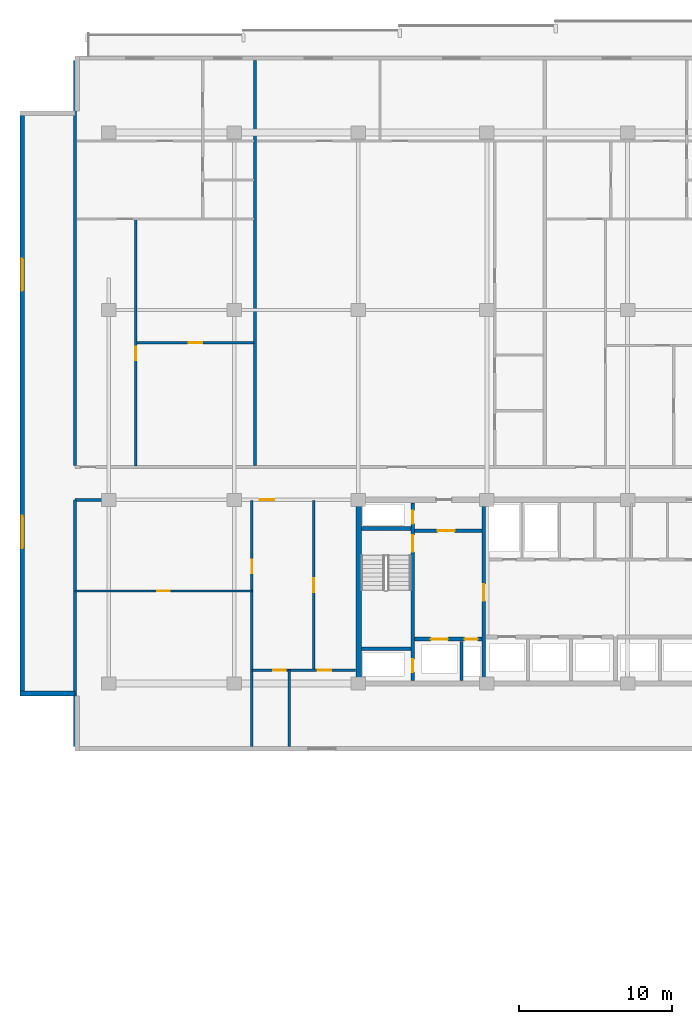
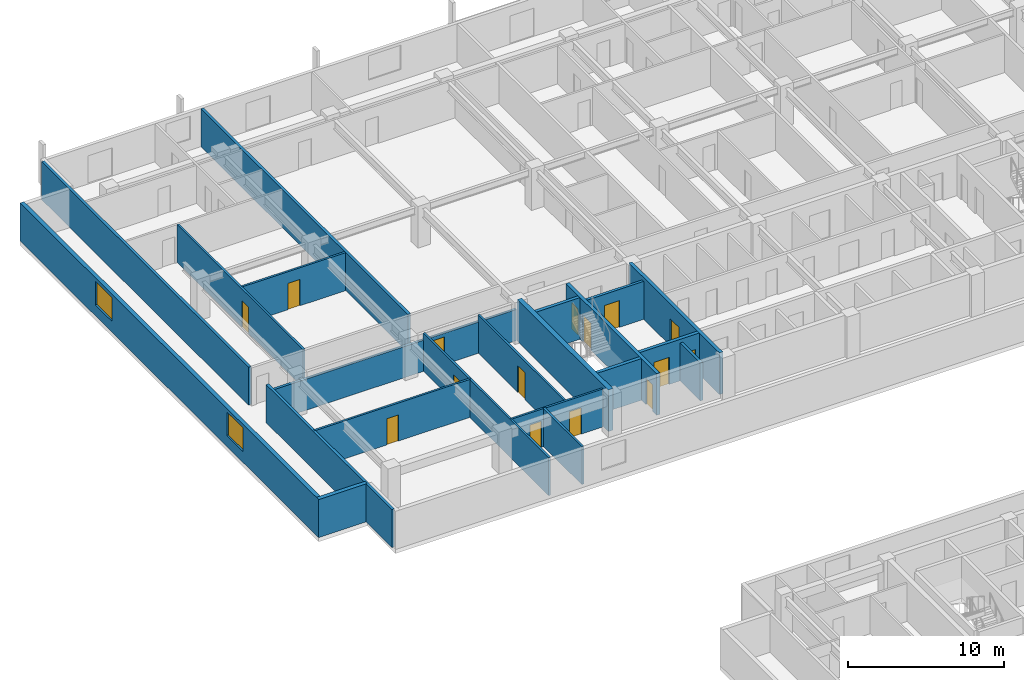
# One storey, part 11 of 22: 21 walls, 15 doors, 2 windows, 17 openings.
"""IFC4 building model written with IfcOpenShell, lengths in metres."""

from ifc_helpers import new_model, si_unit, direction, frame, frame_2d, origin, place, context, subcontext, project, spatial, rectangle, extrude, material, layer, layer_set, type_object, element, fill, save


model = new_model("IFC4")

# Units and contexts
model_context = context("Model", 3, precision=1e-05, world=origin(), true_north=direction((0.0, 1.0)))
body_context = subcontext(model_context, "Body", "Model", "MODEL_VIEW")
ifc_project = project(units=[si_unit("LENGTHUNIT", "METRE"), si_unit("AREAUNIT", "SQUARE_METRE"), si_unit("VOLUMEUNIT", "CUBIC_METRE"), si_unit("PLANEANGLEUNIT", "RADIAN"), si_unit("MASSUNIT", "GRAM", prefix="KILO")], contexts=[model_context])

# Site, building, storey
site_placement = place(None, origin())
site = spatial("IfcSite", under=ifc_project, at=site_placement, CompositionType="ELEMENT")
building_placement = place(site_placement, origin())
building = spatial("IfcBuilding", under=site, at=building_placement, Name="Korimba Cascade Residences", CompositionType="ELEMENT")
storey_placement = place(building_placement, frame((0.0, 0.0, 80.800048828125)))
storey = spatial("IfcBuildingStorey", under=building, at=storey_placement, Name="L22", CompositionType="ELEMENT", Elevation=80.800048828125)

# Wall, openings, windows
ifc_material_1 = material(Name="Precast concrete C40/50", Category="concrete")
ifc_layer_1 = layer(ifc_material_1, 0.300048828125)
ifc_layer_set_1 = layer_set([ifc_layer_1], Name="Precast concrete C40/50")
wall_type_1 = type_object("IfcWallType", Name="EW-STONE-300", PredefinedType="STANDARD", material=ifc_layer_set_1)
wall_1_placement = place(storey_placement, frame((54.14990234375, 92.60009765625, 0.0), z_axis=(0.0, 0.0, 1.0), x_axis=(0.0, -1.0, 0.0)))
wall_1 = element("IfcWall", 1, at=wall_1_placement, inside=storey, type_object=wall_type_1, Name="L22 T1 Perimeter Stone Wall E09", PredefinedType="STANDARD", context=body_context, shape_type="SweptSolid", body=[
    extrude(rectangle(XDim=38.2001953125, YDim=0.300048828125, at=frame_2d((19.10009765625, 0.0))), origin(), (0.0, 0.0, 1.0), 2.969970703125),
])
opening_1_placement = place(wall_1_placement, frame((9.64599609375, 0.0, 0.85009765625)))
opening_1 = element("IfcOpeningElement", 2, at=opening_1_placement, cuts=wall_1, Name="Opening W-03", PredefinedType="OPENING", context=body_context, shape_type="SweptSolid", body=[
    extrude(rectangle(XDim=2.10009765625, YDim=1.85009765625, at=frame_2d((1.050048828125, 0.925048828125))), frame((0.0, 0.16015625, 0.0), z_axis=(0.0, -1.0, 0.0), x_axis=(1.0, 0.0, 0.0)), (0.0, 0.0, 1.0), 0.320068359375),
])
opening_2_placement = place(wall_1_placement, frame((26.4541015625, 0.0, 0.85009765625)))
opening_2 = element("IfcOpeningElement", 3, at=opening_2_placement, cuts=wall_1, Name="Opening W-03", PredefinedType="OPENING", context=body_context, shape_type="SweptSolid", body=[
    extrude(rectangle(XDim=2.10009765625, YDim=1.85009765625, at=frame_2d((1.050048828125, 0.925048828125))), frame((0.0, 0.16015625, 0.0), z_axis=(0.0, -1.0, 0.0), x_axis=(1.0, 0.0, 0.0)), (0.0, 0.0, 1.0), 0.320068359375),
])
ifc_material_2 = material(Name="Double-Glazed Aluminium Window", Category="aluminium")
window_type = type_object("IfcWindowType", Name="WIN-CRN-2100", PartitioningType="DOUBLE_PANEL_HORIZONTAL", PredefinedType="WINDOW", material=ifc_material_2)
window_1_placement = place(opening_1_placement, origin())
window_1 = element("IfcWindow", 4, at=window_1_placement, inside=storey, type_object=window_type, Name="L22 T1 End View Window 9.1", OverallHeight=1.85009765625, OverallWidth=2.10009765625, PartitioningType="DOUBLE_PANEL_HORIZONTAL", PredefinedType="WINDOW", context=body_context, shape_type="SweptSolid", body=[
    extrude(rectangle(XDim=2.10009765625, YDim=1.85009765625, at=frame_2d((1.050048828125, 0.925048828125))), frame((0.0, 0.030029296875, 0.0), z_axis=(0.0, -1.0, 0.0), x_axis=(1.0, 0.0, 0.0)), (0.0, 0.0, 1.0), 0.06005859375),
])
fill(opening_1, window_1)
window_2_placement = place(opening_2_placement, origin())
window_2 = element("IfcWindow", 5, at=window_2_placement, inside=storey, type_object=window_type, Name="L22 T1 End View Window 9.2", OverallHeight=1.85009765625, OverallWidth=2.10009765625, PartitioningType="DOUBLE_PANEL_HORIZONTAL", PredefinedType="WINDOW", context=body_context, shape_type="SweptSolid", body=[
    extrude(rectangle(XDim=2.10009765625, YDim=1.85009765625, at=frame_2d((1.050048828125, 0.925048828125))), frame((0.0, 0.030029296875, 0.0), z_axis=(0.0, -1.0, 0.0), x_axis=(1.0, 0.0, 0.0)), (0.0, 0.0, 1.0), 0.06005859375),
])
fill(opening_2, window_2)

# Walls
wall_2_placement = place(storey_placement, frame((54.0, 54.550048828125, 0.0), z_axis=(0.0, 0.0, 1.0), x_axis=(1.0, 0.0, 0.0)))
element("IfcWall", 6, at=wall_2_placement, inside=storey, type_object=wall_type_1, Name="L22 T1 Perimeter Stone Wall E10", PredefinedType="STANDARD", context=body_context, shape_type="SweptSolid", body=[
    extrude(rectangle(XDim=3.60009765625, YDim=0.300048828125, at=frame_2d((1.800048828125, 0.0))), origin(), (0.0, 0.0, 1.0), 2.969970703125),
])
ifc_material_3 = material(Name="Concrete C65/80", Category="concrete")
ifc_layer_2 = layer(ifc_material_3, 0.35009765625)
ifc_layer_set_2 = layer_set([ifc_layer_2], Name="Concrete C65/80")
wall_type_2 = type_object("IfcWallType", Name="WAL-CORE-350", PredefinedType="SHEAR", material=ifc_layer_set_2)
wall_3_placement = place(storey_placement, frame((76.125, 55.375, 0.0), z_axis=(0.0, 0.0, 1.0), x_axis=(0.0, 1.0, 0.0)))
element("IfcWall", 7, at=wall_3_placement, inside=storey, type_object=wall_type_2, Name="L22 Core Shear Wall CW-L22-T1-W", PredefinedType="SHEAR", context=body_context, shape_type="SweptSolid", body=[
    extrude(rectangle(XDim=11.64990234375, YDim=0.35009765625, at=frame_2d((5.824951171875, 0.0))), origin(), (0.0, 0.0, 1.0), 3.25),
])
ifc_layer_3 = layer(ifc_material_1, 0.199951171875)
ifc_layer_set_3 = layer_set([ifc_layer_3], Name="Precast concrete C40/50")
wall_type_3 = type_object("IfcWallType", Name="WAL-IT-200", PredefinedType="PARTITIONING", material=ifc_layer_set_3)
wall_4_placement = place(storey_placement, frame((57.60009765625, 51.10009765625, 0.0), z_axis=(0.0, 0.0, 1.0), x_axis=(0.0, 1.0, 0.0)))
element("IfcWall", 8, at=wall_4_placement, inside=storey, type_object=wall_type_3, Name="L22 Partition Wall WAL-L22-T1-FW-WL", PredefinedType="PARTITIONING", context=body_context, shape_type="SweptSolid", body=[
    extrude(rectangle(XDim=16.099853515625, YDim=0.199951171875, at=frame_2d((8.0498046875, 0.0))), origin(), (0.0, 0.0, 1.0), 2.969970703125),
])

# Wall, opening, door
wall_5_placement = place(storey_placement, frame((57.60009765625, 67.199951171875, 0.0), z_axis=(0.0, 0.0, 1.0), x_axis=(1.0, 0.0, 0.0)))
wall_5 = element("IfcWall", 9, at=wall_5_placement, inside=storey, type_object=wall_type_3, Name="L22 Partition Wall WAL-L22-T1-FW-N", PredefinedType="PARTITIONING", context=body_context, shape_type="SweptSolid", body=[
    extrude(rectangle(XDim=18.349853515625, YDim=0.199951171875, at=frame_2d((9.1748046875, 0.0))), origin(), (0.0, 0.0, 1.0), 2.433349609375),
])
opening_3_placement = place(wall_5_placement, frame((12.07470703125, 0.0, 0.0)))
opening_3 = element("IfcOpeningElement", 10, at=opening_3_placement, cuts=wall_5, Name="Opening D-UN1", PredefinedType="OPENING", context=body_context, shape_type="SweptSolid", body=[
    extrude(rectangle(XDim=0.949951171875, YDim=2.14990234375, at=frame_2d((0.47509765625, 1.074951171875))), frame((0.0, 0.10986328125, 0.0), z_axis=(0.0, -1.0, 0.0), x_axis=(1.0, 0.0, 0.0)), (0.0, 0.0, 1.0), 0.219970703125),
])
ifc_material_4 = material(Name="Fire-Rated Hardwood Apartment Entrance Door", Category="wood")
door_type_1 = type_object("IfcDoorType", Name="DR-FD60-950", OperationType="NOTDEFINED", PredefinedType="DOOR", material=ifc_material_4)
door_1_placement = place(opening_3_placement, origin())
door_1 = element("IfcDoor", 11, at=door_1_placement, inside=storey, type_object=door_type_1, Name="L22-T1-FW Entrance Door", OperationType="SINGLE_SWING_RIGHT", OverallHeight=2.14990234375, OverallWidth=0.949951171875, PredefinedType="DOOR", context=body_context, shape_type="SweptSolid", body=[
    extrude(rectangle(XDim=0.949951171875, YDim=2.14990234375, at=frame_2d((0.47509765625, 1.074951171875))), frame((0.0, 0.02490234375, 0.0), z_axis=(0.0, -1.0, 0.0), x_axis=(1.0, 0.0, 0.0)), (0.0, 0.0, 1.0), 0.050048828125),
])
fill(opening_3, door_1)

# Walls
for number, where, z_axis, x_axis, name in (
    (12, (57.60009765625, 69.429931640625, 0.0), (0.0, 0.0, 1.0), (0.0, 1.0, 0.0), "L22 Partition Wall WAL-L22-T1-BNDWL"),
    (13, (69.36669921875, 69.429931640625, 0.0), (0.0, 0.0, 1.0), (0.0, 1.0, 0.0), "L22 Partition Wall WAL-L22-T1-DEM-1"),
):
    element("IfcWall", number, at=place(storey_placement, frame(where, z_axis=z_axis, x_axis=x_axis)), inside=storey, type_object=wall_type_3, Name=name, PredefinedType="PARTITIONING", context=body_context, shape_type="SweptSolid", body=[
        extrude(rectangle(XDim=26.469970703125, YDim=0.199951171875, at=frame_2d((13.23486328125, 0.0))), origin(), (0.0, 0.0, 1.0), 2.969970703125),
    ])

# Wall, opening, door
ifc_material_5 = material(Name="Insulated Acoustic Stud Partition", Category="gypsum")
ifc_layer_4 = layer(ifc_material_5, 0.14990234375)
ifc_layer_set_4 = layer_set([ifc_layer_4], Name="Insulated Acoustic Stud Partition")
wall_type_4 = type_object("IfcWallType", Name="WAL-PART-150", PredefinedType="PARTITIONING", material=ifc_layer_set_4)
wall_6_placement = place(storey_placement, frame((57.60009765625, 61.25, 0.0), z_axis=(0.0, 0.0, 1.0), x_axis=(1.0, 0.0, 0.0)))
wall_6 = element("IfcWall", 14, at=wall_6_placement, inside=storey, type_object=wall_type_4, Name="L22 Partition Wall WAL-L22-T1-FW-STH", PredefinedType="PARTITIONING", context=body_context, shape_type="SweptSolid", body=[
    extrude(rectangle(XDim=11.5498046875, YDim=0.14990234375, at=frame_2d((5.77490234375, 0.0))), origin(), (0.0, 0.0, 1.0), 2.969970703125),
])
opening_4_placement = place(wall_6_placement, frame((5.35498046875, 0.0, 0.0)))
opening_4 = element("IfcOpeningElement", 15, at=opening_4_placement, cuts=wall_6, Name="Opening D-BT1", PredefinedType="OPENING", context=body_context, shape_type="SweptSolid", body=[
    extrude(rectangle(XDim=0.840087890625, YDim=2.0400390625, at=frame_2d((0.419921875, 1.02001953125))), frame((0.0, 0.0849609375, 0.0), z_axis=(0.0, -1.0, 0.0), x_axis=(1.0, 0.0, 0.0)), (0.0, 0.0, 1.0), 0.169921875),
])
ifc_material_6 = material(Name="Moisture-Resistant Bathroom Timber Door", Category="wood")
door_type_2 = type_object("IfcDoorType", Name="DR-INT-850", OperationType="NOTDEFINED", PredefinedType="DOOR", material=ifc_material_6)
door_2_placement = place(opening_4_placement, origin())
door_2 = element("IfcDoor", 16, at=door_2_placement, inside=storey, type_object=door_type_2, Name="L22-T1-FW Dressing Store Door", OperationType="SINGLE_SWING_LEFT", OverallHeight=2.0400390625, OverallWidth=0.840087890625, PredefinedType="DOOR", context=body_context, shape_type="SweptSolid", body=[
    extrude(rectangle(XDim=0.840087890625, YDim=2.0400390625, at=frame_2d((0.419921875, 1.02001953125))), frame((0.0, 0.02490234375, 0.0), z_axis=(0.0, -1.0, 0.0), x_axis=(1.0, 0.0, 0.0)), (0.0, 0.0, 1.0), 0.050048828125),
])
fill(opening_4, door_2)

wall_7_placement = place(storey_placement, frame((69.14990234375, 51.10009765625, 0.0), z_axis=(0.0, 0.0, 1.0), x_axis=(0.0, 1.0, 0.0)))
wall_7 = element("IfcWall", 17, at=wall_7_placement, inside=storey, type_object=wall_type_4, Name="L22 Partition Wall WAL-L22-T1-FW-STV", PredefinedType="PARTITIONING", context=body_context, shape_type="SweptSolid", body=[
    extrude(rectangle(XDim=16.0498046875, YDim=0.14990234375, at=frame_2d((8.02490234375, 0.0))), origin(), (0.0, 0.0, 1.0), 2.969970703125),
])
opening_5_placement = place(wall_7_placement, frame((11.300048828125, 0.0, 0.0)))
opening_5 = element("IfcOpeningElement", 18, at=opening_5_placement, cuts=wall_7, Name="Opening D-IN2", PredefinedType="OPENING", context=body_context, shape_type="SweptSolid", body=[
    extrude(rectangle(XDim=0.8798828125, YDim=2.06005859375, at=frame_2d((0.43994140625, 1.030029296875))), frame((0.0, 0.0849609375, 0.0), z_axis=(0.0, -1.0, 0.0), x_axis=(1.0, 0.0, 0.0)), (0.0, 0.0, 1.0), 0.169921875),
])
ifc_material_7 = material(Name="Acoustic Timber Bedroom Door", Category="wood")
door_type_3 = type_object("IfcDoorType", Name="DR-INT-880", OperationType="NOTDEFINED", PredefinedType="DOOR", material=ifc_material_7)
door_3_placement = place(opening_5_placement, origin())
door_3 = element("IfcDoor", 19, at=door_3_placement, inside=storey, type_object=door_type_3, Name="L22-T1-FW Study Door", OperationType="SINGLE_SWING_RIGHT", OverallHeight=2.06005859375, OverallWidth=0.8798828125, PredefinedType="DOOR", context=body_context, shape_type="SweptSolid", body=[
    extrude(rectangle(XDim=0.8798828125, YDim=2.06005859375, at=frame_2d((0.43994140625, 1.030029296875))), frame((0.0, 0.02490234375, 0.0), z_axis=(0.0, -1.0, 0.0), x_axis=(1.0, 0.0, 0.0)), (0.0, 0.0, 1.0), 0.050048828125),
])
fill(opening_5, door_3)

wall_8_placement = place(storey_placement, frame((73.199951171875, 56.070068359375, 0.0), z_axis=(0.0, 0.0, 1.0), x_axis=(0.0, 1.0, 0.0)))
wall_8 = element("IfcWall", 20, at=wall_8_placement, inside=storey, type_object=wall_type_4, Name="L22 Partition Wall WAL-L22-T1-FW-VN", PredefinedType="PARTITIONING", context=body_context, shape_type="SweptSolid", body=[
    extrude(rectangle(XDim=11.079833984375, YDim=0.14990234375, at=frame_2d((5.5400390625, 0.0))), origin(), (0.0, 0.0, 1.0), 2.969970703125),
])
opening_6_placement = place(wall_8_placement, frame((5.080078125, 0.0, 0.0)))
opening_6 = element("IfcOpeningElement", 21, at=opening_6_placement, cuts=wall_8, Name="Opening D-IN1", PredefinedType="OPENING", context=body_context, shape_type="SweptSolid", body=[
    extrude(rectangle(XDim=0.919921875, YDim=2.080078125, at=frame_2d((0.4599609375, 1.0400390625))), frame((0.0, 0.0849609375, 0.0), z_axis=(0.0, -1.0, 0.0), x_axis=(1.0, 0.0, 0.0)), (0.0, 0.0, 1.0), 0.169921875),
])
ifc_material_8 = material(Name="Acoustic Timber Living Door", Category="wood")
door_type_4 = type_object("IfcDoorType", Name="DR-INT-920", OperationType="NOTDEFINED", PredefinedType="DOOR", material=ifc_material_8)
door_4_placement = place(opening_6_placement, origin())
door_4 = element("IfcDoor", 22, at=door_4_placement, inside=storey, type_object=door_type_4, Name="L22-T1-FW Living Door", OperationType="SINGLE_SWING_LEFT", OverallHeight=2.080078125, OverallWidth=0.919921875, PredefinedType="DOOR", context=body_context, shape_type="SweptSolid", body=[
    extrude(rectangle(XDim=0.919921875, YDim=2.080078125, at=frame_2d((0.4599609375, 1.0400390625))), frame((0.0, 0.02490234375, 0.0), z_axis=(0.0, -1.0, 0.0), x_axis=(1.0, 0.0, 0.0)), (0.0, 0.0, 1.0), 0.050048828125),
])
fill(opening_6, door_4)

# Wall
wall_9_placement = place(storey_placement, frame((71.60009765625, 51.10009765625, 0.0), z_axis=(0.0, 0.0, 1.0), x_axis=(0.0, 1.0, 0.0)))
element("IfcWall", 23, at=wall_9_placement, inside=storey, type_object=wall_type_4, Name="L22 Partition Wall WAL-L22-T1-FW-VS", PredefinedType="PARTITIONING", context=body_context, shape_type="SweptSolid", body=[
    extrude(rectangle(XDim=4.969970703125, YDim=0.14990234375, at=frame_2d((2.48486328125, 0.0))), origin(), (0.0, 0.0, 1.0), 2.969970703125),
])

# Wall, openings, doors
wall_10_placement = place(storey_placement, frame((69.169921875, 56.070068359375, 0.0), z_axis=(0.0, 0.0, 1.0), x_axis=(1.0, 0.0, 0.0)))
wall_10 = element("IfcWall", 24, at=wall_10_placement, inside=storey, type_object=wall_type_4, Name="L22 Partition Wall WAL-L22-T1-FW-H", PredefinedType="PARTITIONING", context=body_context, shape_type="SweptSolid", body=[
    extrude(rectangle(XDim=6.760009765625, YDim=0.14990234375, at=frame_2d((3.3798828125, 0.0))), origin(), (0.0, 0.0, 1.0), 2.969970703125),
])
opening_7_placement = place(wall_10_placement, frame((1.3623046875, 0.0, 0.0)))
opening_7 = element("IfcOpeningElement", 25, at=opening_7_placement, cuts=wall_10, Name="Opening D-BT1", PredefinedType="OPENING", context=body_context, shape_type="SweptSolid", body=[
    extrude(rectangle(XDim=0.840087890625, YDim=2.0400390625, at=frame_2d((0.419921875, 1.02001953125))), frame((0.0, 0.0849609375, 0.0), z_axis=(0.0, -1.0, 0.0), x_axis=(1.0, 0.0, 0.0)), (0.0, 0.0, 1.0), 0.169921875),
])
opening_8_placement = place(wall_10_placement, frame((4.276611328125, 0.0, 0.0)))
opening_8 = element("IfcOpeningElement", 26, at=opening_8_placement, cuts=wall_10, Name="Opening D-IN2", PredefinedType="OPENING", context=body_context, shape_type="SweptSolid", body=[
    extrude(rectangle(XDim=0.8798828125, YDim=2.06005859375, at=frame_2d((0.43994140625, 1.030029296875))), frame((0.0, 0.0849609375, 0.0), z_axis=(0.0, -1.0, 0.0), x_axis=(1.0, 0.0, 0.0)), (0.0, 0.0, 1.0), 0.169921875),
])
door_5_placement = place(opening_7_placement, origin())
door_5 = element("IfcDoor", 27, at=door_5_placement, inside=storey, type_object=door_type_2, Name="L22-T1-FW Bathroom Door", OperationType="SINGLE_SWING_RIGHT", OverallHeight=2.0400390625, OverallWidth=0.840087890625, PredefinedType="DOOR", context=body_context, shape_type="SweptSolid", body=[
    extrude(rectangle(XDim=0.840087890625, YDim=2.0400390625, at=frame_2d((0.419921875, 1.02001953125))), frame((0.0, 0.02490234375, 0.0), z_axis=(0.0, -1.0, 0.0), x_axis=(1.0, 0.0, 0.0)), (0.0, 0.0, 1.0), 0.050048828125),
])
fill(opening_7, door_5)
door_6_placement = place(opening_8_placement, origin())
door_6 = element("IfcDoor", 28, at=door_6_placement, inside=storey, type_object=door_type_3, Name="L22-T1-FW Bedroom Door", OperationType="SINGLE_SWING_LEFT", OverallHeight=2.06005859375, OverallWidth=0.8798828125, PredefinedType="DOOR", context=body_context, shape_type="SweptSolid", body=[
    extrude(rectangle(XDim=0.8798828125, YDim=2.06005859375, at=frame_2d((0.43994140625, 1.030029296875))), frame((0.0, 0.02490234375, 0.0), z_axis=(0.0, -1.0, 0.0), x_axis=(1.0, 0.0, 0.0)), (0.0, 0.0, 1.0), 0.050048828125),
])
fill(opening_8, door_6)

# Wall, opening, door
wall_11_placement = place(storey_placement, frame((61.6298828125, 77.4599609375, 0.0), z_axis=(0.0, 0.0, 1.0), x_axis=(1.0, 0.0, 0.0)))
wall_11 = element("IfcWall", 29, at=wall_11_placement, inside=storey, type_object=wall_type_4, Name="L22 Partition Wall WAL-L22-T1-U01-FMH", PredefinedType="PARTITIONING", context=body_context, shape_type="SweptSolid", body=[
    extrude(rectangle(XDim=7.65673828125, YDim=0.14990234375, at=frame_2d((3.828369140625, 0.0))), origin(), (0.0, 0.0, 1.0), 2.969970703125),
])
opening_9_placement = place(wall_11_placement, frame((3.38818359375, 0.0, 0.0)))
opening_9 = element("IfcOpeningElement", 30, at=opening_9_placement, cuts=wall_11, Name="Opening D-IN2", PredefinedType="OPENING", context=body_context, shape_type="SweptSolid", body=[
    extrude(rectangle(XDim=0.8798828125, YDim=2.06005859375, at=frame_2d((0.43994140625, 1.030029296875))), frame((0.0, 0.0849609375, 0.0), z_axis=(0.0, -1.0, 0.0), x_axis=(1.0, 0.0, 0.0)), (0.0, 0.0, 1.0), 0.169921875),
])
door_7_placement = place(opening_9_placement, origin())
door_7 = element("IfcDoor", 31, at=door_7_placement, inside=storey, type_object=door_type_3, Name="L22-T1-U01 Library Salon Door", OperationType="SINGLE_SWING_LEFT", OverallHeight=2.06005859375, OverallWidth=0.8798828125, PredefinedType="DOOR", context=body_context, shape_type="SweptSolid", body=[
    extrude(rectangle(XDim=0.8798828125, YDim=2.06005859375, at=frame_2d((0.43994140625, 1.030029296875))), frame((0.0, 0.02490234375, 0.0), z_axis=(0.0, -1.0, 0.0), x_axis=(1.0, 0.0, 0.0)), (0.0, 0.0, 1.0), 0.050048828125),
])
fill(opening_9, door_7)

wall_12_placement = place(storey_placement, frame((61.570068359375, 69.409912109375, 0.0), z_axis=(0.0, 0.0, 1.0), x_axis=(0.0, 1.0, 0.0)))
wall_12 = element("IfcWall", 32, at=wall_12_placement, inside=storey, type_object=wall_type_4, Name="L22 Partition Wall WAL-L22-T1-U01-FV", PredefinedType="PARTITIONING", context=body_context, shape_type="SweptSolid", body=[
    extrude(rectangle(XDim=16.10009765625, YDim=0.14990234375, at=frame_2d((8.050048828125, 0.0))), origin(), (0.0, 0.0, 1.0), 2.969970703125),
])
opening_10_placement = place(wall_12_placement, frame((6.919921875, 0.0, 0.0)))
opening_10 = element("IfcOpeningElement", 33, at=opening_10_placement, cuts=wall_12, Name="Opening D-IN2", PredefinedType="OPENING", context=body_context, shape_type="SweptSolid", body=[
    extrude(rectangle(XDim=0.8798828125, YDim=2.06005859375, at=frame_2d((0.43994140625, 1.030029296875))), frame((0.0, 0.0849609375, 0.0), z_axis=(0.0, -1.0, 0.0), x_axis=(1.0, 0.0, 0.0)), (0.0, 0.0, 1.0), 0.169921875),
])
door_8_placement = place(opening_10_placement, origin())
door_8 = element("IfcDoor", 34, at=door_8_placement, inside=storey, type_object=door_type_3, Name="L22-T1-U01 Media Lounge Door", OperationType="SINGLE_SWING_RIGHT", OverallHeight=2.06005859375, OverallWidth=0.8798828125, PredefinedType="DOOR", context=body_context, shape_type="SweptSolid", body=[
    extrude(rectangle(XDim=0.8798828125, YDim=2.06005859375, at=frame_2d((0.43994140625, 1.030029296875))), frame((0.0, 0.02490234375, 0.0), z_axis=(0.0, -1.0, 0.0), x_axis=(1.0, 0.0, 0.0)), (0.0, 0.0, 1.0), 0.050048828125),
])
fill(opening_10, door_8)

# Wall
ifc_material_9 = material(Name="Concrete C40/50", Category="concrete")
ifc_layer_5 = layer(ifc_material_9, 0.199951171875)
ifc_layer_set_5 = layer_set([ifc_layer_5], Name="Concrete C40/50")
wall_type_5 = type_object("IfcWallType", Name="WAL-PART-200", PredefinedType="PARTITIONING", material=ifc_layer_set_5)
wall_13_placement = place(storey_placement, frame((82.85009765625, 55.39990234375, 0.0), z_axis=(0.0, 0.0, 1.0), x_axis=(0.0, 1.0, 0.0)))
element("IfcWall", 35, at=wall_13_placement, inside=storey, type_object=wall_type_5, Name="L22 Partition Wall CW-L22-T1-FFLDIV", PredefinedType="PARTITIONING", context=body_context, shape_type="SweptSolid", body=[
    extrude(rectangle(XDim=2.56005859375, YDim=0.199951171875, at=frame_2d((1.280029296875, 0.0))), origin(), (0.0, 0.0, 1.0), 2.969970703125),
])

# Wall, opening, door
wall_14_placement = place(storey_placement, frame((79.7900390625, 65.179931640625, 0.0), z_axis=(0.0, 0.0, 1.0), x_axis=(1.0, 0.0, 0.0)))
wall_14 = element("IfcWall", 36, at=wall_14_placement, inside=storey, type_object=wall_type_5, Name="L22 Partition Wall CW-L22-T1-FFLN", PredefinedType="PARTITIONING", context=body_context, shape_type="SweptSolid", body=[
    extrude(rectangle(XDim=4.389892578125, YDim=0.199951171875, at=frame_2d((2.19482421875, 0.0))), origin(), (0.0, 0.0, 1.0), 2.969970703125),
])
opening_11_placement = place(wall_14_placement, frame((1.5, 0.0, 0.0)))
opening_11 = element("IfcOpeningElement", 37, at=opening_11_placement, cuts=wall_14, Name="Opening D-FD1", PredefinedType="OPENING", context=body_context, shape_type="SweptSolid", body=[
    extrude(rectangle(XDim=1.10009765625, YDim=2.10009765625, at=frame_2d((0.550048828125, 1.050048828125))), frame((0.0, 0.10986328125, 0.0), z_axis=(0.0, -1.0, 0.0), x_axis=(1.0, 0.0, 0.0)), (0.0, 0.0, 1.0), 0.219970703125),
])
ifc_material_10 = material(Name="Fire-Rated Steel Core Door", Category="steel")
door_type_5 = type_object("IfcDoorType", Name="DR-FD120-1100", OperationType="NOTDEFINED", PredefinedType="DOOR", material=ifc_material_10)
door_9_placement = place(opening_11_placement, origin())
door_9 = element("IfcDoor", 38, at=door_9_placement, inside=storey, type_object=door_type_5, Name="L22 West Firefighting Lobby Door", OperationType="SINGLE_SWING_RIGHT", OverallHeight=2.10009765625, OverallWidth=1.10009765625, PredefinedType="DOOR", context=body_context, shape_type="SweptSolid", body=[
    extrude(rectangle(XDim=1.10009765625, YDim=2.10009765625, at=frame_2d((0.550048828125, 1.050048828125))), frame((0.0, 0.02490234375, 0.0), z_axis=(0.0, -1.0, 0.0), x_axis=(1.0, 0.0, 0.0)), (0.0, 0.0, 1.0), 0.050048828125),
])
fill(opening_11, door_9)

# Wall, openings, doors
ifc_material_11 = material(Name="Concrete C50/60", Category="concrete")
ifc_layer_6 = layer(ifc_material_11, 0.25)
ifc_layer_set_6 = layer_set([ifc_layer_6], Name="Concrete C50/60")
wall_type_6 = type_object("IfcWallType", Name="WAL-SHAFT-250", PredefinedType="SHEAR", material=ifc_layer_set_6)
wall_15_placement = place(storey_placement, frame((79.6650390625, 55.39990234375, 0.0), z_axis=(0.0, 0.0, 1.0), x_axis=(0.0, 1.0, 0.0)))
wall_15 = element("IfcWall", 39, at=wall_15_placement, inside=storey, type_object=wall_type_6, Name="L22 Core Shear Wall CW-L22-T1-STW1E", PredefinedType="SHEAR", context=body_context, shape_type="SweptSolid", body=[
    extrude(rectangle(XDim=11.60009765625, YDim=0.25, at=frame_2d((5.800048828125, 0.0))), origin(), (0.0, 0.0, 1.0), 3.25),
])
opening_12_placement = place(wall_15_placement, frame((0.550048828125, 0.0, 0.0)))
opening_12 = element("IfcOpeningElement", 40, at=opening_12_placement, cuts=wall_15, Name="Opening D-RS1", PredefinedType="OPENING", context=body_context, shape_type="SweptSolid", body=[
    extrude(rectangle(XDim=0.85009765625, YDim=2.050048828125, at=frame_2d((0.425048828125, 1.02490234375))), frame((0.0, 0.135009765625, 0.0), z_axis=(0.0, -1.0, 0.0), x_axis=(1.0, 0.0, 0.0)), (0.0, 0.0, 1.0), 0.27001953125),
])
opening_13_placement = place(wall_15_placement, frame((8.39990234375, 0.0, 0.0)))
opening_13 = element("IfcOpeningElement", 41, at=opening_13_placement, cuts=wall_15, Name="Opening D-FD1", PredefinedType="OPENING", context=body_context, shape_type="SweptSolid", body=[
    extrude(rectangle(XDim=1.10009765625, YDim=2.10009765625, at=frame_2d((0.550048828125, 1.050048828125))), frame((0.0, 0.135009765625, 0.0), z_axis=(0.0, -1.0, 0.0), x_axis=(1.0, 0.0, 0.0)), (0.0, 0.0, 1.0), 0.27001953125),
])
opening_14_placement = place(wall_15_placement, frame((10.25, 0.0, 0.0)))
opening_14 = element("IfcOpeningElement", 42, at=opening_14_placement, cuts=wall_15, Name="Opening D-RS1", PredefinedType="OPENING", context=body_context, shape_type="SweptSolid", body=[
    extrude(rectangle(XDim=0.85009765625, YDim=2.050048828125, at=frame_2d((0.425048828125, 1.02490234375))), frame((0.0, 0.135009765625, 0.0), z_axis=(0.0, -1.0, 0.0), x_axis=(1.0, 0.0, 0.0)), (0.0, 0.0, 1.0), 0.27001953125),
])
door_10_placement = place(opening_13_placement, origin())
door_10 = element("IfcDoor", 43, at=door_10_placement, inside=storey, type_object=door_type_5, Name="L22 Fire Stair ST-W1 Door", OperationType="SINGLE_SWING_LEFT", OverallHeight=2.10009765625, OverallWidth=1.10009765625, PredefinedType="DOOR", context=body_context, shape_type="SweptSolid", body=[
    extrude(rectangle(XDim=1.10009765625, YDim=2.10009765625, at=frame_2d((0.550048828125, 1.050048828125))), frame((0.0, 0.02490234375, 0.0), z_axis=(0.0, -1.0, 0.0), x_axis=(1.0, 0.0, 0.0)), (0.0, 0.0, 1.0), 0.050048828125),
])
fill(opening_13, door_10)
ifc_material_12 = material(Name="Fire-Rated Steel Riser Access Door", Category="steel")
door_type_6 = type_object("IfcDoorType", Name="DR-FD60-850", OperationType="NOTDEFINED", PredefinedType="DOOR", material=ifc_material_12)
door_11_placement = place(opening_12_placement, origin())
door_11 = element("IfcDoor", 44, at=door_11_placement, inside=storey, type_object=door_type_6, Name="L22 Smoke Riser Access Door", OperationType="SINGLE_SWING_RIGHT", OverallHeight=2.050048828125, OverallWidth=0.85009765625, PredefinedType="DOOR", context=body_context, shape_type="SweptSolid", body=[
    extrude(rectangle(XDim=0.85009765625, YDim=2.050048828125, at=frame_2d((0.425048828125, 1.02490234375))), frame((0.0, 0.02490234375, 0.0), z_axis=(0.0, -1.0, 0.0), x_axis=(1.0, 0.0, 0.0)), (0.0, 0.0, 1.0), 0.050048828125),
])
fill(opening_12, door_11)
door_12_placement = place(opening_14_placement, origin())
door_12 = element("IfcDoor", 45, at=door_12_placement, inside=storey, type_object=door_type_6, Name="L22 Hydrant Riser Access Door", OperationType="SINGLE_SWING_RIGHT", OverallHeight=2.050048828125, OverallWidth=0.85009765625, PredefinedType="DOOR", context=body_context, shape_type="SweptSolid", body=[
    extrude(rectangle(XDim=0.85009765625, YDim=2.050048828125, at=frame_2d((0.425048828125, 1.02490234375))), frame((0.0, 0.02490234375, 0.0), z_axis=(0.0, -1.0, 0.0), x_axis=(1.0, 0.0, 0.0)), (0.0, 0.0, 1.0), 0.050048828125),
])
fill(opening_14, door_12)

# Walls
for number, where, z_axis, x_axis, name in (
    (46, (76.300048828125, 57.47509765625, 0.0), (0.0, 0.0, 1.0), (1.0, 0.0, 0.0), "L22 Core Shear Wall CW-L22-T1-STW1S"),
    (47, (76.300048828125, 65.324951171875, 0.0), (0.0, 0.0, 1.0), (1.0, 0.0, 0.0), "L22 Core Shear Wall CW-L22-T1-STW1N"),
):
    element("IfcWall", number, at=place(storey_placement, frame(where, z_axis=z_axis, x_axis=x_axis)), inside=storey, type_object=wall_type_6, Name=name, PredefinedType="SHEAR", context=body_context, shape_type="SweptSolid", body=[
        extrude(rectangle(XDim=3.239990234375, YDim=0.25, at=frame_2d((1.6201171875, 0.0))), origin(), (0.0, 0.0, 1.0), 3.25),
    ])

# Wall, openings, doors
wall_16_placement = place(storey_placement, frame((79.7900390625, 58.10009765625, 0.0), z_axis=(0.0, 0.0, 1.0), x_axis=(1.0, 0.0, 0.0)))
wall_16 = element("IfcWall", 48, at=wall_16_placement, inside=storey, type_object=wall_type_6, Name="L22 Core Shear Wall CW-L22-T1-FFLS", PredefinedType="SHEAR", context=body_context, shape_type="SweptSolid", body=[
    extrude(rectangle(XDim=4.389892578125, YDim=0.25, at=frame_2d((2.19482421875, 0.0))), origin(), (0.0, 0.0, 1.0), 3.25),
])
opening_15_placement = place(wall_16_placement, frame((1.050048828125, 0.0, 0.0)))
opening_15 = element("IfcOpeningElement", 49, at=opening_15_placement, cuts=wall_16, Name="Opening LD-01", PredefinedType="OPENING", context=body_context, shape_type="SweptSolid", body=[
    extrude(rectangle(XDim=1.1201171875, YDim=2.1201171875, at=frame_2d((0.56005859375, 1.06005859375))), frame((0.0, 0.135009765625, 0.0), z_axis=(0.0, -1.0, 0.0), x_axis=(1.0, 0.0, 0.0)), (0.0, 0.0, 1.0), 0.27001953125),
])
opening_16_placement = place(wall_16_placement, frame((3.260009765625, 0.0, 0.0)))
opening_16 = element("IfcOpeningElement", 50, at=opening_16_placement, cuts=wall_16, Name="Opening D-RS1", PredefinedType="OPENING", context=body_context, shape_type="SweptSolid", body=[
    extrude(rectangle(XDim=0.85009765625, YDim=2.050048828125, at=frame_2d((0.425048828125, 1.02490234375))), frame((0.0, 0.135009765625, 0.0), z_axis=(0.0, -1.0, 0.0), x_axis=(1.0, 0.0, 0.0)), (0.0, 0.0, 1.0), 0.27001953125),
])
door_13_placement = place(opening_16_placement, origin())
door_13 = element("IfcDoor", 51, at=door_13_placement, inside=storey, type_object=door_type_6, Name="L22 Pressurisation Riser Door", OperationType="SINGLE_SWING_LEFT", OverallHeight=2.050048828125, OverallWidth=0.85009765625, PredefinedType="DOOR", context=body_context, shape_type="SweptSolid", body=[
    extrude(rectangle(XDim=0.85009765625, YDim=2.050048828125, at=frame_2d((0.425048828125, 1.02490234375))), frame((0.0, 0.02490234375, 0.0), z_axis=(0.0, -1.0, 0.0), x_axis=(1.0, 0.0, 0.0)), (0.0, 0.0, 1.0), 0.050048828125),
])
fill(opening_16, door_13)
ifc_material_13 = material(Name="Stainless Steel Lift Landing Sliding Door", Category="steel")
door_type_7 = type_object("IfcDoorType", Name="DR-LIFT-1100", OperationType="NOTDEFINED", PredefinedType="DOOR", material=ifc_material_13)
door_14_placement = place(opening_15_placement, origin())
door_14 = element("IfcDoor", 52, at=door_14_placement, inside=storey, type_object=door_type_7, Name="L22 Firefighting Lift Landing Door FFL-W1", OperationType="SLIDING_TO_LEFT", OverallHeight=2.1201171875, OverallWidth=1.1201171875, PredefinedType="DOOR", context=body_context, shape_type="SweptSolid", body=[
    extrude(rectangle(XDim=1.1201171875, YDim=2.1201171875, at=frame_2d((0.56005859375, 1.06005859375))), frame((0.0, 0.02490234375, 0.0), z_axis=(0.0, -1.0, 0.0), x_axis=(1.0, 0.0, 0.0)), (0.0, 0.0, 1.0), 0.050048828125),
])
fill(opening_15, door_14)

# Wall, opening, door
wall_17_placement = place(storey_placement, frame((84.300048828125, 55.39990234375, 0.0), z_axis=(0.0, 0.0, 1.0), x_axis=(0.0, 1.0, 0.0)))
wall_17 = element("IfcWall", 53, at=wall_17_placement, inside=storey, type_object=wall_type_6, Name="L22 Core Shear Wall CW-L22-T1-FFLE", PredefinedType="SHEAR", context=body_context, shape_type="SweptSolid", body=[
    extrude(rectangle(XDim=11.60009765625, YDim=0.25, at=frame_2d((5.800048828125, 0.0))), origin(), (0.0, 0.0, 1.0), 3.25),
])
opening_17_placement = place(wall_17_placement, frame((5.199951171875, 0.0, 0.0)))
opening_17 = element("IfcOpeningElement", 54, at=opening_17_placement, cuts=wall_17, Name="Opening D-FD1", PredefinedType="OPENING", context=body_context, shape_type="SweptSolid", body=[
    extrude(rectangle(XDim=1.10009765625, YDim=2.10009765625, at=frame_2d((0.550048828125, 1.050048828125))), frame((0.0, 0.135009765625, 0.0), z_axis=(0.0, -1.0, 0.0), x_axis=(1.0, 0.0, 0.0)), (0.0, 0.0, 1.0), 0.27001953125),
])
door_15_placement = place(opening_17_placement, origin())
door_15 = element("IfcDoor", 55, at=door_15_placement, inside=storey, type_object=door_type_5, Name="L22 Firefighting Lobby to Lift Lobby Door", OperationType="SINGLE_SWING_LEFT", OverallHeight=2.10009765625, OverallWidth=1.10009765625, PredefinedType="DOOR", context=body_context, shape_type="SweptSolid", body=[
    extrude(rectangle(XDim=1.10009765625, YDim=2.10009765625, at=frame_2d((0.550048828125, 1.050048828125))), frame((0.0, 0.02490234375, 0.0), z_axis=(0.0, -1.0, 0.0), x_axis=(1.0, 0.0, 0.0)), (0.0, 0.0, 1.0), 0.050048828125),
])
fill(opening_17, door_15)

save(model, "model.ifc")
